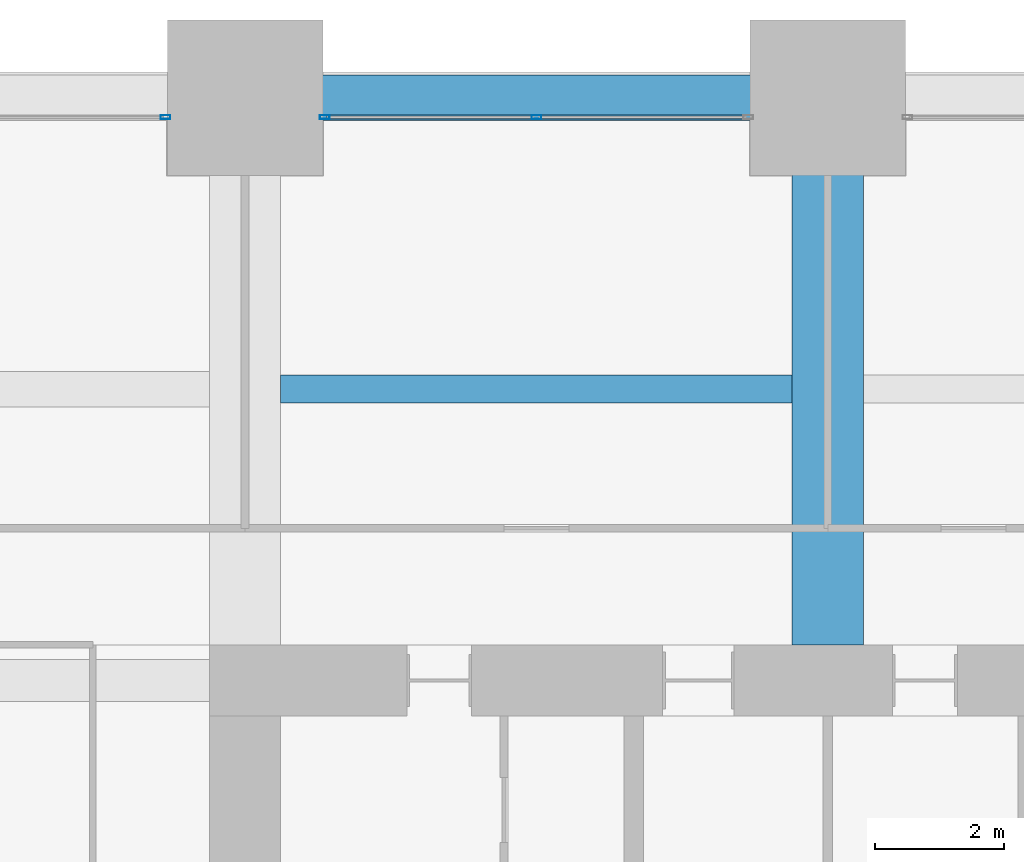
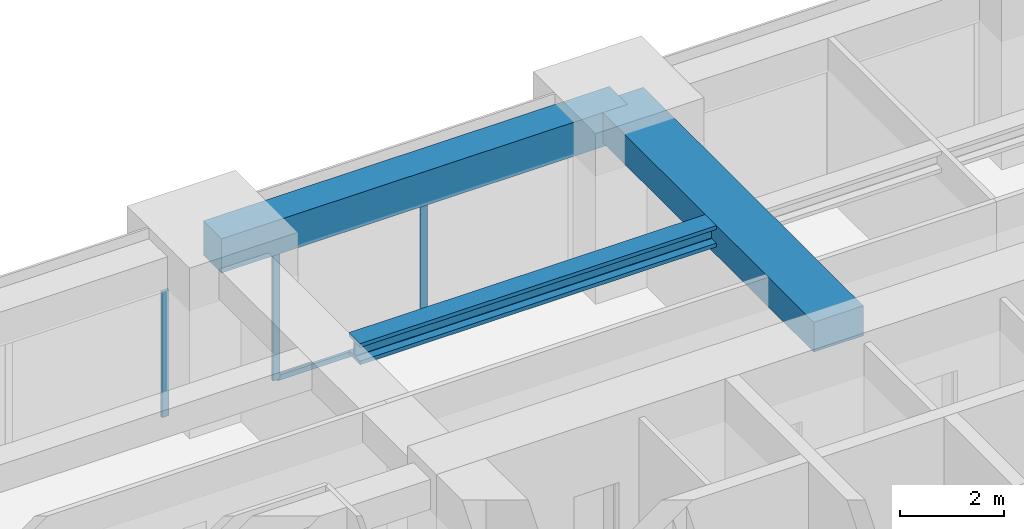
# One storey, part 28 of 41: 4 members, 3 beams, 2 elements without a shape of their own.
"""IFC4 building model written with IfcOpenShell, lengths in metres."""

from ifc_helpers import new_model, si_unit, direction, frame, origin, origin_2d, place, context, subcontext, project, spatial, rectangle, hollow_rectangle, i_section, extrude, material, material_profile, profile_set, type_object, element, aggregate, save


model = new_model("IFC4")

# Units and contexts
model_context = context("Model", 3, precision=1e-05, world=origin(), true_north=direction((0.0, 1.0)))
body_context = subcontext(model_context, "Body", "Model", "MODEL_VIEW")
ifc_project = project(units=[si_unit("LENGTHUNIT", "METRE"), si_unit("AREAUNIT", "SQUARE_METRE"), si_unit("VOLUMEUNIT", "CUBIC_METRE"), si_unit("PLANEANGLEUNIT", "RADIAN"), si_unit("MASSUNIT", "GRAM", prefix="KILO")], contexts=[model_context])

# Site, building, storey
site_placement = place(None, origin())
site = spatial("IfcSite", under=ifc_project, at=site_placement, CompositionType="ELEMENT")
building_placement = place(site_placement, origin())
building = spatial("IfcBuilding", under=site, at=building_placement, Name="Zorevar Civic Tower", CompositionType="ELEMENT")
storey_placement = place(building_placement, frame((0.0, 0.0, 137.0)))
storey = spatial("IfcBuildingStorey", under=building, at=storey_placement, Name="L33", CompositionType="ELEMENT", Elevation=137.0)

# Beam
ifc_material_1 = material(Name="Concrete C50/60", Category="concrete")
ifc_material_profile_1 = material_profile(ifc_material_1, rectangle(XDim=1.10009765625, YDim=0.699951171875, at=origin_2d()), Name="RC 1100x700")
ifc_profile_set_1 = profile_set([ifc_material_profile_1], Name="Concrete C50/60")
beam_type_1 = type_object("IfcBeamType", Name="Beam RC 1100x700", PredefinedType="BEAM", material=ifc_profile_set_1)
beam_1_placement = place(storey_placement, frame((27.0, 36.550048828125, 3.39990234375), z_axis=(0.0, 1.0, 0.0), x_axis=(-1.0, 0.0, 0.0)))
element("IfcBeam", 1, at=beam_1_placement, inside=storey, type_object=beam_type_1, Name="Girder L34", PredefinedType="BEAM", context=body_context, shape_type="SweptSolid", body=[
    extrude(rectangle(XDim=1.10009765625, YDim=0.699951171875, at=origin_2d()), origin(), (0.0, 0.0, 1.0), 8.449951171875),
])

# Curtain wall, member
ifc_material_2 = material(Name="Dark grey solar-control glass in black aluminium frame", Category="aluminium")
curtain_wall_type = type_object("IfcCurtainWallType", Name="Curtain wall CW3 mid zone", PredefinedType="NOTDEFINED", material=ifc_material_2)
curtain_wall_1_placement = place(storey_placement, origin())
curtain_wall_1 = element("IfcCurtainWall", 2, at=curtain_wall_1_placement, inside=storey, type_object=curtain_wall_type, Name="CW3 L33", PredefinedType="NOTDEFINED")
ifc_material_3 = material(Name="Aluminium, black anodised", Category="aluminium")
ifc_material_profile_2 = material_profile(ifc_material_3, hollow_rectangle(XDim=0.06005859375, YDim=0.14990234375, WallThickness=0.00390625, at=origin_2d()), Name="AL 150x60x4")
ifc_profile_set_2 = profile_set([ifc_material_profile_2], Name="Aluminium, black anodised")
member_type_1 = type_object("IfcMemberType", Name="CW3 mullion AL 150x60x4", PredefinedType="MULLION", material=ifc_profile_set_2)
member_1_placement = place(storey_placement, frame((16.77001953125, 44.699951171875, 0.0), z_axis=(0.0, 0.0, 1.0), x_axis=(0.0, 1.0, 0.0)))
member_1 = element("IfcMember", 3, at=member_1_placement, type_object=member_type_1, Name="CW3 mullion 3", PredefinedType="MULLION", context=body_context, shape_type="SweptSolid", body=[
    extrude(hollow_rectangle(XDim=0.06005859375, YDim=0.14990234375, WallThickness=0.00390625, at=origin_2d()), origin(), (0.0, 0.0, 1.0), 2.949951171875),
])
aggregate(curtain_wall_1, [member_1])

# Curtain wall, members
curtain_wall_2_placement = place(storey_placement, origin())
curtain_wall_2 = element("IfcCurtainWall", 4, at=curtain_wall_2_placement, inside=storey, type_object=curtain_wall_type, Name="CW3 L33", PredefinedType="NOTDEFINED")
member_2_placement = place(storey_placement, frame((19.22998046875, 44.699951171875, 0.0), z_axis=(0.0, 0.0, 1.0), x_axis=(0.0, 1.0, 0.0)))
member_2 = element("IfcMember", 5, at=member_2_placement, type_object=member_type_1, Name="CW3 mullion 1", PredefinedType="MULLION", context=body_context, shape_type="SweptSolid", body=[
    extrude(hollow_rectangle(XDim=0.06005859375, YDim=0.14990234375, WallThickness=0.00390625, at=origin_2d()), origin(), (0.0, 0.0, 1.0), 2.949951171875),
])
member_3_placement = place(storey_placement, frame((22.5, 44.699951171875, 0.06005859375), z_axis=(0.0, 0.0, 1.0), x_axis=(0.0, 1.0, 0.0)))
member_3 = element("IfcMember", 6, at=member_3_placement, type_object=member_type_1, Name="CW3 mullion 2", PredefinedType="MULLION", context=body_context, shape_type="SweptSolid", body=[
    extrude(hollow_rectangle(XDim=0.06005859375, YDim=0.14990234375, WallThickness=0.00390625, at=origin_2d()), origin(), (0.0, 0.0, 1.0), 2.889892578125),
])
ifc_material_4 = material(Name="Aluminium, black anodised", Category="aluminium")
ifc_material_profile_3 = material_profile(ifc_material_4, hollow_rectangle(XDim=0.06005859375, YDim=0.1201171875, WallThickness=0.0029296875, at=origin_2d()), Name="AL 120x60x3")
ifc_profile_set_3 = profile_set([ifc_material_profile_3], Name="Aluminium, black anodised")
member_type_2 = type_object("IfcMemberType", Name="CW3 transom AL 120x60x3", PredefinedType="USERDEFINED", material=ifc_profile_set_3)
member_4_placement = place(storey_placement, frame((19.260009765625, 44.699951171875, 0.030029296875), z_axis=(1.0, 0.0, 0.0), x_axis=(0.0, 1.0, 0.0)))
member_4 = element("IfcMember", 7, at=member_4_placement, type_object=member_type_2, Name="CW3 sill transom", ObjectType="TRANSOM", PredefinedType="USERDEFINED", context=body_context, shape_type="SweptSolid", body=[
    extrude(hollow_rectangle(XDim=0.06005859375, YDim=0.1201171875, WallThickness=0.0029296875, at=origin_2d()), origin(), (0.0, 0.0, 1.0), 6.47998046875),
])
aggregate(curtain_wall_2, [member_2, member_3, member_4])

# Beams
ifc_material_5 = material(Name="Steel S460M (HISTAR 460)", Category="steel")
ifc_material_profile_4 = material_profile(ifc_material_5, i_section(OverallWidth=0.431884765625, OverallDepth=0.498046875, WebThickness=0.0556640625, FlangeThickness=0.0888671875, FilletRadius=0.014892578125, at=origin_2d()), Name="HD 400x744")
ifc_profile_set_4 = profile_set([ifc_material_profile_4], Name="Steel S460M (HISTAR 460)")
beam_type_2 = type_object("IfcBeamType", Name="Core bay beam HD 400x744", PredefinedType="BEAM", material=ifc_profile_set_4)
beam_2_placement = place(storey_placement, frame((18.550048828125, 40.5, 3.5009765625), z_axis=(1.0, 0.0, 0.0), x_axis=(0.0, 1.0, 0.0)))
element("IfcBeam", 8, at=beam_2_placement, inside=storey, type_object=beam_type_2, Name="Secondary beam L34", PredefinedType="BEAM", context=body_context, shape_type="SweptSolid", body=[
    extrude(i_section(OverallWidth=0.431884765625, OverallDepth=0.498046875, WebThickness=0.0556640625, FlangeThickness=0.0888671875, FilletRadius=0.014892578125, at=origin_2d()), origin(), (0.0, 0.0, 1.0), 7.89990234375),
])
ifc_material_6 = material(Name="Concrete C50/60", Category="concrete")
ifc_material_profile_5 = material_profile(ifc_material_6, rectangle(XDim=0.699951171875, YDim=0.800048828125, at=origin_2d()), Name="RC 700x800")
ifc_profile_set_5 = profile_set([ifc_material_profile_5], Name="Concrete C50/60")
beam_type_3 = type_object("IfcBeamType", Name="Edge beam RC 700x800", PredefinedType="SPANDREL", material=ifc_profile_set_5)
beam_3_placement = place(storey_placement, frame((18.0, 45.0, 3.35009765625), z_axis=(1.0, 0.0, 0.0), x_axis=(0.0, 1.0, 0.0)))
element("IfcBeam", 9, at=beam_3_placement, inside=storey, type_object=beam_type_3, Name="Edge beam L34", PredefinedType="SPANDREL", context=body_context, shape_type="SweptSolid", body=[
    extrude(rectangle(XDim=0.699951171875, YDim=0.800048828125, at=origin_2d()), origin(), (0.0, 0.0, 1.0), 9.0),
])

save(model, "model.ifc")
